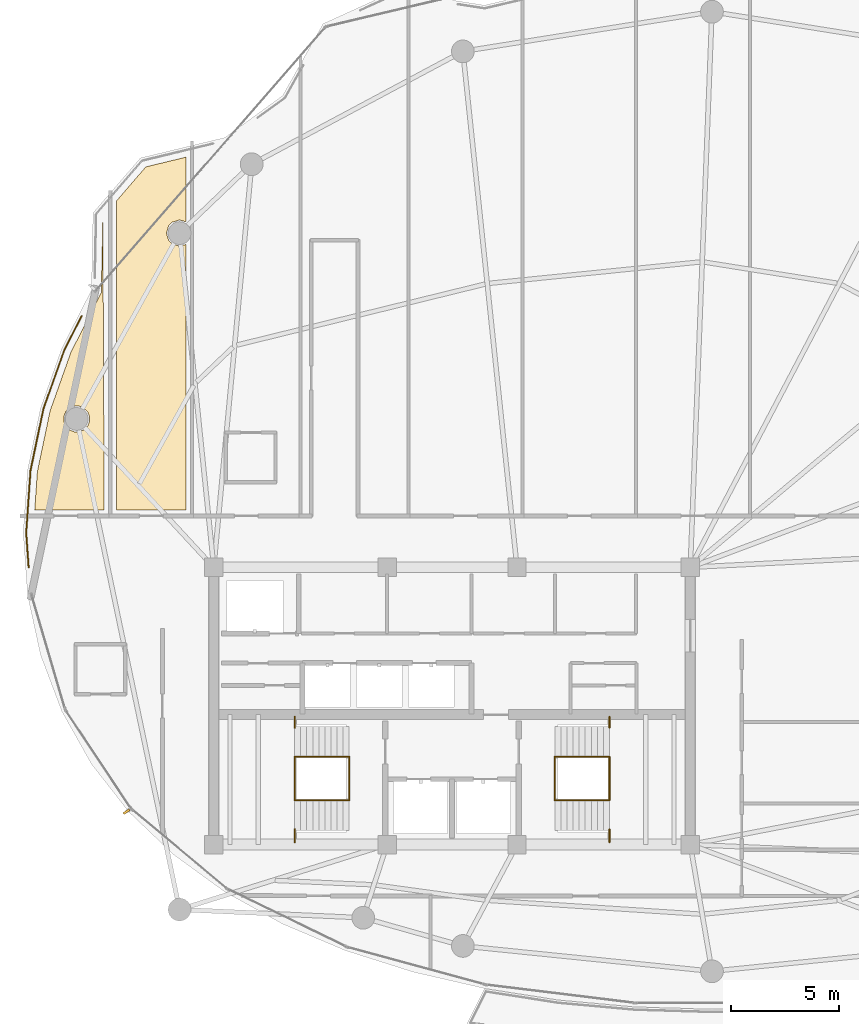
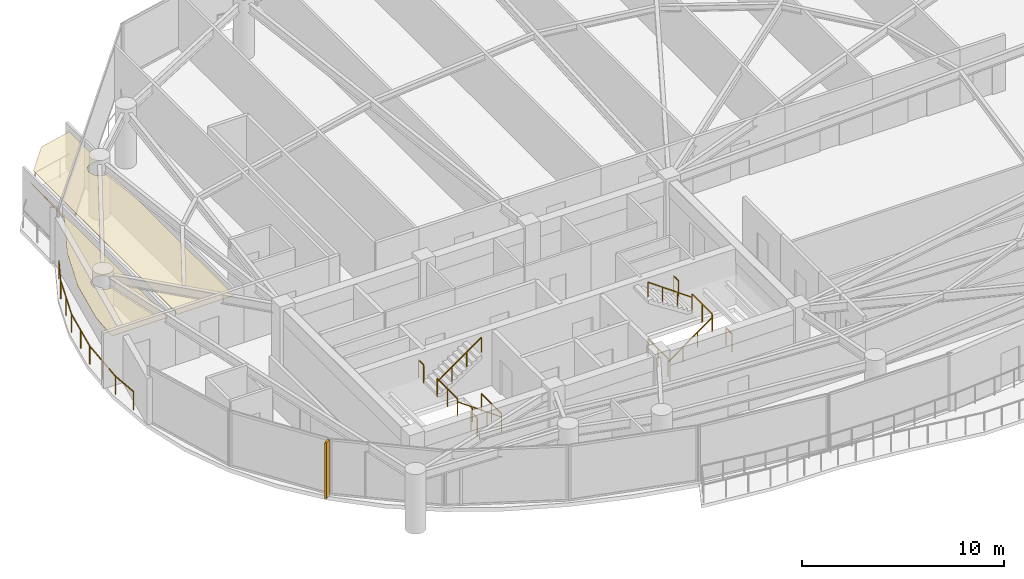
# One storey, part 27 of 29: 13 railings, 2 coverings, 1 shading device.
"""IFC4 building model written with IfcOpenShell, lengths in metres."""

from ifc_helpers import new_model, si_unit, direction, frame, origin, origin_2d, place, context, subcontext, project, spatial, polyline, rectangle, outline, extrude, material, layer, layer_set, type_object, element, save


model = new_model("IFC4")

# Units and contexts
model_context = context("Model", 3, precision=1e-05, world=origin(), true_north=direction((0.0, 1.0)))
body_context = subcontext(model_context, "Body", "Model", "MODEL_VIEW")
ifc_project = project(units=[si_unit("LENGTHUNIT", "METRE"), si_unit("AREAUNIT", "SQUARE_METRE"), si_unit("VOLUMEUNIT", "CUBIC_METRE"), si_unit("PLANEANGLEUNIT", "RADIAN"), si_unit("MASSUNIT", "GRAM", prefix="KILO")], contexts=[model_context])

# Site, building, storey
site_placement = place(None, origin())
site = spatial("IfcSite", under=ifc_project, at=site_placement, CompositionType="ELEMENT")
building_placement = place(site_placement, origin())
building = spatial("IfcBuilding", under=site, at=building_placement, Name="Kazevale Care Tower and Concert Hall", CompositionType="ELEMENT")
storey_placement = place(building_placement, frame((0.0, 0.0, 199.199951171875)))
storey = spatial("IfcBuildingStorey", under=building, at=storey_placement, Name="L52", CompositionType="ELEMENT", Elevation=199.199951171875)

# Coverings
ifc_material_1 = material(Name="Acoustic Plaster and Hinoki Wood", Category="wood")
ifc_layer = layer(ifc_material_1, 0.0400390625)
ifc_layer_set = layer_set([ifc_layer], Name="Acoustic Plaster and Hinoki Wood")
covering_type = type_object("IfcCoveringType", Name="Acoustic Perforated Wood-Gypsum Ceiling", PredefinedType="CEILING", material=ifc_layer_set)
covering_1_placement = place(storey_placement, frame((0.0, 0.0, 2.7099609375)))
element("IfcCovering", 1, at=covering_1_placement, inside=storey, type_object=covering_type, Name="clg:L52:1", PredefinedType="CEILING", context=body_context, shape_type="SweptSolid", body=[
    extrude(outline(polyline([(15.407958984375, 46.339111328125), (16.806884765625, 49.0791015625), (16.8798828125, 52.589111328125), (16.93994140625, 39.054931640625), (13.73388671875, 39.054931640625), (13.85693359375, 40.824951171875), (14.44091796875, 43.615966796875), (15.407958984375, 46.339111328125)]), holes=[polyline([(16.262939453125, 43.367919921875), (16.173095703125, 43.5859375), (16.006103515625, 43.7529296875), (15.7880859375, 43.843017578125), (15.552001953125, 43.843017578125), (15.333984375, 43.7529296875), (15.1669921875, 43.5859375), (15.076904296875, 43.367919921875), (15.076904296875, 43.132080078125), (15.1669921875, 42.9140625), (15.333984375, 42.7470703125), (15.552001953125, 42.656982421875), (15.7880859375, 42.656982421875), (16.006103515625, 42.7470703125), (16.173095703125, 42.9140625), (16.262939453125, 43.132080078125), (16.262939453125, 43.367919921875)])]), origin(), (0.0, 0.0, 1.0), 0.0400390625),
])
covering_2_placement = place(storey_placement, frame((0.0, 0.0, 2.7099609375)))
element("IfcCovering", 2, at=covering_2_placement, inside=storey, type_object=covering_type, Name="clg:L52:2", PredefinedType="CEILING", context=body_context, shape_type="SweptSolid", body=[
    extrude(outline(polyline([(17.5, 39.054931640625), (17.5, 53.30810546875), (18.864990234375, 54.888916015625), (20.719970703125, 55.3369140625), (20.719970703125, 52.35205078125), (20.419921875, 52.43505859375), (20.083984375, 52.3330078125), (19.9169921875, 52.166015625), (19.81494140625, 51.830078125), (19.9169921875, 51.493896484375), (20.083984375, 51.326904296875), (20.419921875, 51.22509765625), (20.719970703125, 51.30810546875), (20.719970703125, 39.054931640625), (17.5, 39.054931640625)])), origin(), (0.0, 0.0, 1.0), 0.0400390625),
])

# Railings
ifc_material_2 = material(Name="Anodised Bronze Aluminium and Laminated Glass", Category="aluminium")
railing_type_1 = type_object("IfcRailingType", Name="Balcony and Terrace Balustrade 1120", PredefinedType="BALUSTRADE", material=ifc_material_2)
railing_1_placement = place(storey_placement, frame((13.451904296875, 36.39892578125, 0.0)))
element("IfcRailing", 3, at=railing_1_placement, inside=storey, type_object=railing_type_1, Name="rail:L52:perim:1", PredefinedType="BALUSTRADE", context=body_context, shape_type="SweptSolid", body=[
    extrude(rectangle(XDim=0.048095703125, YDim=0.048095703125, at=origin_2d()), frame((0.0, 0.0, 1.09619140625), z_axis=(-0.069668671127, 0.997570186134, 0.0), x_axis=(-0.997570186134, -0.069668671127, 0.0)), (0.0, 0.0, 1.0), 1.60498046875),
    extrude(rectangle(XDim=0.048095703125, YDim=0.048095703125, at=origin_2d()), frame((-0.11181640625, 1.60107421875, 1.09619140625), z_axis=(0.069189590327, 0.997603528758, 0.0), x_axis=(-0.997603528758, 0.069189590327, 0.0)), (0.0, 0.0, 1.0), 2.875732421875),
    extrude(rectangle(XDim=0.048095703125, YDim=0.048095703125, at=origin_2d()), frame((0.087158203125, 4.469970703125, 1.09619140625), z_axis=(0.204816187417, 0.978800454317, 0.0), x_axis=(-0.978800454317, 0.204816187417, 0.0)), (0.0, 0.0, 1.0), 2.895263671875),
    extrude(rectangle(XDim=0.048095703125, YDim=0.048095703125, at=origin_2d()), frame((0.68017578125, 7.303955078125, 1.09619140625), z_axis=(0.334552974602, 0.942376945381, 0.0), x_axis=(-0.942376945381, 0.334552974602, 0.0)), (0.0, 0.0, 1.0), 2.93212890625),
    extrude(rectangle(XDim=0.048095703125, YDim=0.048095703125, at=origin_2d()), frame((1.6611328125, 10.067138671875, 1.09619140625), z_axis=(0.455056261721, 0.890462687971, 0.0), x_axis=(-0.890462687971, 0.455056261721, 0.0)), (0.0, 0.0, 1.0), 1.72705078125),
    extrude(rectangle(XDim=0.0419921875, YDim=0.0419921875, at=origin_2d()), origin(), (0.0, 0.0, 1.0), 1.072021484375),
    extrude(rectangle(XDim=0.0419921875, YDim=0.0419921875, at=origin_2d()), frame((-0.11181640625, 1.60107421875, 0.0)), (0.0, 0.0, 1.0), 1.072021484375),
    extrude(rectangle(XDim=0.0419921875, YDim=0.0419921875, at=origin_2d()), frame((-0.01220703125, 3.03564453125, 0.0)), (0.0, 0.0, 1.0), 1.072021484375),
    extrude(rectangle(XDim=0.0419921875, YDim=0.0419921875, at=origin_2d()), frame((0.087158203125, 4.469970703125, 0.0)), (0.0, 0.0, 1.0), 1.072021484375),
    extrude(rectangle(XDim=0.0419921875, YDim=0.0419921875, at=origin_2d()), frame((0.3837890625, 5.886962890625, 0.0)), (0.0, 0.0, 1.0), 1.072021484375),
    extrude(rectangle(XDim=0.0419921875, YDim=0.0419921875, at=origin_2d()), frame((0.68017578125, 7.303955078125, 0.0)), (0.0, 0.0, 1.0), 1.072021484375),
    extrude(rectangle(XDim=0.0419921875, YDim=0.0419921875, at=origin_2d()), frame((1.170654296875, 8.685546875, 0.0)), (0.0, 0.0, 1.0), 1.072021484375),
    extrude(rectangle(XDim=0.0419921875, YDim=0.0419921875, at=origin_2d()), frame((1.6611328125, 10.067138671875, 0.0)), (0.0, 0.0, 1.0), 1.072021484375),
    extrude(rectangle(XDim=0.0419921875, YDim=0.0419921875, at=origin_2d()), frame((2.447021484375, 11.60498046875, 0.0)), (0.0, 0.0, 1.0), 1.072021484375),
])
ifc_material_3 = material(Name="Stainless Steel 316", Category="steel")
railing_type_2 = type_object("IfcRailingType", Name="Stair Pitch Handrail 920", PredefinedType="HANDRAIL", material=ifc_material_3)
railing_2_placement = place(storey_placement, frame((28.25, 25.64990234375, 0.0)))
element("IfcRailing", 4, at=railing_2_placement, inside=storey, type_object=railing_type_2, Name="stair:L52:ST1:hr1", PredefinedType="HANDRAIL", context=body_context, shape_type="SweptSolid", body=[
    extrude(rectangle(XDim=0.048095703125, YDim=0.048095703125, at=origin_2d()), frame((0.0, 0.0, 0.89599609375), z_axis=(-0.813728144527, 0.0, 0.581245650998), x_axis=(0.0, -1.0, 0.0)), (0.0, 0.0, 1.0), 3.096923828125),
    extrude(rectangle(XDim=0.0419921875, YDim=0.0419921875, at=origin_2d()), origin(), (0.0, 0.0, 1.0), 0.871826171875),
    extrude(rectangle(XDim=0.0419921875, YDim=0.0419921875, at=origin_2d()), frame((-0.840087890625, 0.0, 0.60009765625)), (0.0, 0.0, 1.0), 0.871826171875),
    extrude(rectangle(XDim=0.0419921875, YDim=0.0419921875, at=origin_2d()), frame((-1.679931640625, 0.0, 1.199951171875)), (0.0, 0.0, 1.0), 0.871826171875),
    extrude(rectangle(XDim=0.0419921875, YDim=0.0419921875, at=origin_2d()), frame((-2.52001953125, 0.0, 1.800048828125)), (0.0, 0.0, 1.0), 0.871826171875),
])
for number, where, name in (
    (5, (25.72998046875, 27.64990234375, 1.800048828125), "stair:L52:ST1:hr2"),
    (6, (37.75, 25.64990234375, 0.0), "stair:L52:ST2:hr1"),
):
    element("IfcRailing", number, at=place(storey_placement, frame(where)), inside=storey, type_object=railing_type_2, Name=name, PredefinedType="HANDRAIL", context=body_context, shape_type="SweptSolid", body=[
        extrude(rectangle(XDim=0.048095703125, YDim=0.048095703125, at=origin_2d()), frame((0.0, 0.0, 0.89599609375), z_axis=(0.813728144527, 0.0, 0.581245650998), x_axis=(0.0, 1.0, 0.0)), (0.0, 0.0, 1.0), 3.096923828125),
        extrude(rectangle(XDim=0.0419921875, YDim=0.0419921875, at=origin_2d()), origin(), (0.0, 0.0, 1.0), 0.871826171875),
        extrude(rectangle(XDim=0.0419921875, YDim=0.0419921875, at=origin_2d()), frame((0.840087890625, 0.0, 0.60009765625)), (0.0, 0.0, 1.0), 0.871826171875),
        extrude(rectangle(XDim=0.0419921875, YDim=0.0419921875, at=origin_2d()), frame((1.679931640625, 0.0, 1.199951171875)), (0.0, 0.0, 1.0), 0.871826171875),
        extrude(rectangle(XDim=0.0419921875, YDim=0.0419921875, at=origin_2d()), frame((2.52001953125, 0.0, 1.800048828125)), (0.0, 0.0, 1.0), 0.871826171875),
    ])
railing_3_placement = place(storey_placement, frame((40.27001953125, 27.64990234375, 1.800048828125)))
element("IfcRailing", 7, at=railing_3_placement, inside=storey, type_object=railing_type_2, Name="stair:L52:ST2:hr2", PredefinedType="HANDRAIL", context=body_context, shape_type="SweptSolid", body=[
    extrude(rectangle(XDim=0.048095703125, YDim=0.048095703125, at=origin_2d()), frame((0.0, 0.0, 0.89599609375), z_axis=(-0.813728144527, 0.0, 0.581245650998), x_axis=(0.0, -1.0, 0.0)), (0.0, 0.0, 1.0), 3.096923828125),
    extrude(rectangle(XDim=0.0419921875, YDim=0.0419921875, at=origin_2d()), origin(), (0.0, 0.0, 1.0), 0.871826171875),
    extrude(rectangle(XDim=0.0419921875, YDim=0.0419921875, at=origin_2d()), frame((-0.840087890625, 0.0, 0.60009765625)), (0.0, 0.0, 1.0), 0.871826171875),
    extrude(rectangle(XDim=0.0419921875, YDim=0.0419921875, at=origin_2d()), frame((-1.679931640625, 0.0, 1.199951171875)), (0.0, 0.0, 1.0), 0.871826171875),
    extrude(rectangle(XDim=0.0419921875, YDim=0.0419921875, at=origin_2d()), frame((-2.52001953125, 0.0, 1.800048828125)), (0.0, 0.0, 1.0), 0.871826171875),
])
railing_type_3 = type_object("IfcRailingType", Name="Stair Well Guard Balustrade 1120", PredefinedType="BALUSTRADE", material=ifc_material_3)
railing_4_placement = place(storey_placement, frame((25.72998046875, 23.699951171875, 1.800048828125)))
element("IfcRailing", 8, at=railing_4_placement, inside=storey, type_object=railing_type_3, Name="stair:L52:ST1:grd_side1", PredefinedType="BALUSTRADE", context=body_context, shape_type="SweptSolid", body=[
    extrude(rectangle(XDim=0.048095703125, YDim=0.048095703125, at=origin_2d()), frame((0.0, 0.0, 1.09619140625), z_axis=(0.0, 1.0, 0.0), x_axis=(-1.0, 0.0, 0.0)), (0.0, 0.0, 1.0), 0.610107421875),
    extrude(rectangle(XDim=0.0419921875, YDim=0.0419921875, at=origin_2d()), origin(), (0.0, 0.0, 1.0), 1.072021484375),
    extrude(rectangle(XDim=0.0419921875, YDim=0.0419921875, at=origin_2d()), frame((0.0, 0.610107421875, 0.0)), (0.0, 0.0, 1.0), 1.072021484375),
])
railing_5_placement = place(storey_placement, frame((25.72998046875, 28.989990234375, 1.800048828125)))
element("IfcRailing", 9, at=railing_5_placement, inside=storey, type_object=railing_type_3, Name="stair:L52:ST1:grd_side2", PredefinedType="BALUSTRADE", context=body_context, shape_type="SweptSolid", body=[
    extrude(rectangle(XDim=0.048095703125, YDim=0.048095703125, at=origin_2d()), frame((0.0, 0.0, 1.09619140625), z_axis=(0.0, 1.0, 0.0), x_axis=(-1.0, 0.0, 0.0)), (0.0, 0.0, 1.0), 0.510009765625),
    extrude(rectangle(XDim=0.0419921875, YDim=0.0419921875, at=origin_2d()), origin(), (0.0, 0.0, 1.0), 1.072021484375),
    extrude(rectangle(XDim=0.0419921875, YDim=0.0419921875, at=origin_2d()), frame((0.0, 0.510009765625, 0.0)), (0.0, 0.0, 1.0), 1.072021484375),
])
for number, where, name in (
    (10, (25.72998046875, 25.64990234375, 1.800048828125), "stair:L52:ST1:grd_mid"),
    (11, (28.25, 25.64990234375, 0.0), "stair:L52:ST1:grd_flr"),
):
    element("IfcRailing", number, at=place(storey_placement, frame(where)), inside=storey, type_object=railing_type_3, Name=name, PredefinedType="BALUSTRADE", context=body_context, shape_type="SweptSolid", body=[
        extrude(rectangle(XDim=0.048095703125, YDim=0.048095703125, at=origin_2d()), frame((0.0, 0.0, 1.09619140625), z_axis=(0.0, 1.0, 0.0), x_axis=(-1.0, 0.0, 0.0)), (0.0, 0.0, 1.0), 2.0),
        extrude(rectangle(XDim=0.0419921875, YDim=0.0419921875, at=origin_2d()), origin(), (0.0, 0.0, 1.0), 1.072021484375),
        extrude(rectangle(XDim=0.0419921875, YDim=0.0419921875, at=origin_2d()), frame((0.0, 1.0, 0.0)), (0.0, 0.0, 1.0), 1.072021484375),
        extrude(rectangle(XDim=0.0419921875, YDim=0.0419921875, at=origin_2d()), frame((0.0, 2.0, 0.0)), (0.0, 0.0, 1.0), 1.072021484375),
    ])
railing_6_placement = place(storey_placement, frame((40.27001953125, 23.699951171875, 1.800048828125)))
element("IfcRailing", 12, at=railing_6_placement, inside=storey, type_object=railing_type_3, Name="stair:L52:ST2:grd_side1", PredefinedType="BALUSTRADE", context=body_context, shape_type="SweptSolid", body=[
    extrude(rectangle(XDim=0.048095703125, YDim=0.048095703125, at=origin_2d()), frame((0.0, 0.0, 1.09619140625), z_axis=(0.0, 1.0, 0.0), x_axis=(-1.0, 0.0, 0.0)), (0.0, 0.0, 1.0), 0.610107421875),
    extrude(rectangle(XDim=0.0419921875, YDim=0.0419921875, at=origin_2d()), origin(), (0.0, 0.0, 1.0), 1.072021484375),
    extrude(rectangle(XDim=0.0419921875, YDim=0.0419921875, at=origin_2d()), frame((0.0, 0.610107421875, 0.0)), (0.0, 0.0, 1.0), 1.072021484375),
])
railing_7_placement = place(storey_placement, frame((40.27001953125, 28.989990234375, 1.800048828125)))
element("IfcRailing", 13, at=railing_7_placement, inside=storey, type_object=railing_type_3, Name="stair:L52:ST2:grd_side2", PredefinedType="BALUSTRADE", context=body_context, shape_type="SweptSolid", body=[
    extrude(rectangle(XDim=0.048095703125, YDim=0.048095703125, at=origin_2d()), frame((0.0, 0.0, 1.09619140625), z_axis=(0.0, 1.0, 0.0), x_axis=(-1.0, 0.0, 0.0)), (0.0, 0.0, 1.0), 0.510009765625),
    extrude(rectangle(XDim=0.0419921875, YDim=0.0419921875, at=origin_2d()), origin(), (0.0, 0.0, 1.0), 1.072021484375),
    extrude(rectangle(XDim=0.0419921875, YDim=0.0419921875, at=origin_2d()), frame((0.0, 0.510009765625, 0.0)), (0.0, 0.0, 1.0), 1.072021484375),
])
for number, where, name in (
    (14, (40.27001953125, 25.64990234375, 1.800048828125), "stair:L52:ST2:grd_mid"),
    (15, (37.75, 25.64990234375, 0.0), "stair:L52:ST2:grd_flr"),
):
    element("IfcRailing", number, at=place(storey_placement, frame(where)), inside=storey, type_object=railing_type_3, Name=name, PredefinedType="BALUSTRADE", context=body_context, shape_type="SweptSolid", body=[
        extrude(rectangle(XDim=0.048095703125, YDim=0.048095703125, at=origin_2d()), frame((0.0, 0.0, 1.09619140625), z_axis=(0.0, 1.0, 0.0), x_axis=(-1.0, 0.0, 0.0)), (0.0, 0.0, 1.0), 2.0),
        extrude(rectangle(XDim=0.0419921875, YDim=0.0419921875, at=origin_2d()), origin(), (0.0, 0.0, 1.0), 1.072021484375),
        extrude(rectangle(XDim=0.0419921875, YDim=0.0419921875, at=origin_2d()), frame((0.0, 1.0, 0.0)), (0.0, 0.0, 1.0), 1.072021484375),
        extrude(rectangle(XDim=0.0419921875, YDim=0.0419921875, at=origin_2d()), frame((0.0, 2.0, 0.0)), (0.0, 0.0, 1.0), 1.072021484375),
    ])

# Shading device
ifc_material_4 = material(Name="Anodised Bronze Aluminium", Category="aluminium")
shading_device_type = type_object("IfcShadingDeviceType", Name="Waist Anodised Bronze-Stone Fin FIN-02", PredefinedType="USERDEFINED", material=ifc_material_4)
shading_device_placement = place(storey_placement, frame((17.972900390625, 25.121337890625, 0.0), z_axis=(0.0, 0.0, 1.0), x_axis=(-0.832147748683, -0.554553986878, 0.0)))
element("IfcShadingDevice", 16, at=shading_device_placement, inside=storey, type_object=shading_device_type, Name="cw:L52:f11:fin", ObjectType="FIN", PredefinedType="USERDEFINED", context=body_context, shape_type="SweptSolid", body=[
    extrude(rectangle(XDim=0.340087890625, YDim=0.10009765625, at=origin_2d()), origin(), (0.0, 0.0, 1.0), 3.360107421875),
])

save(model, "model.ifc")
